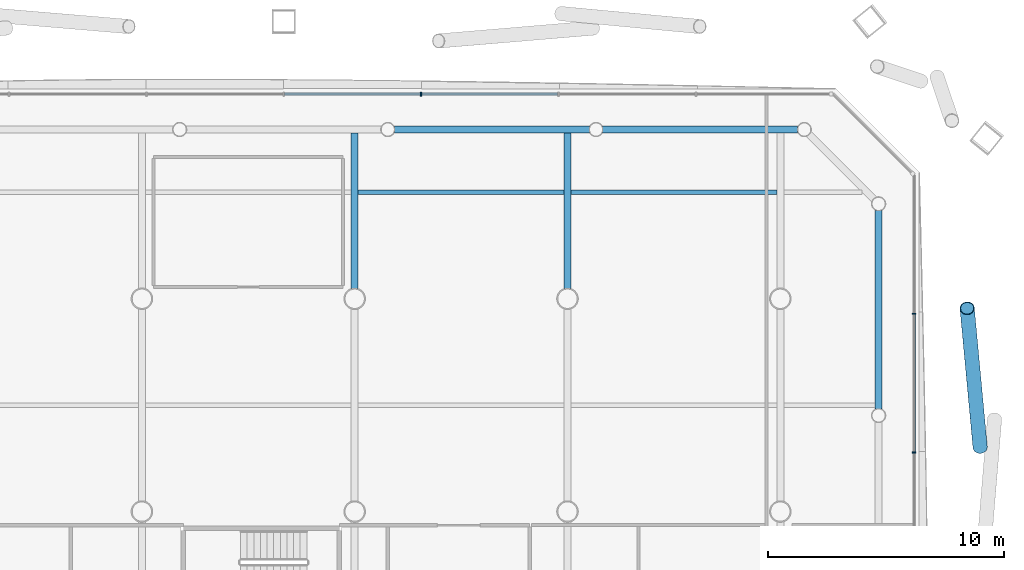
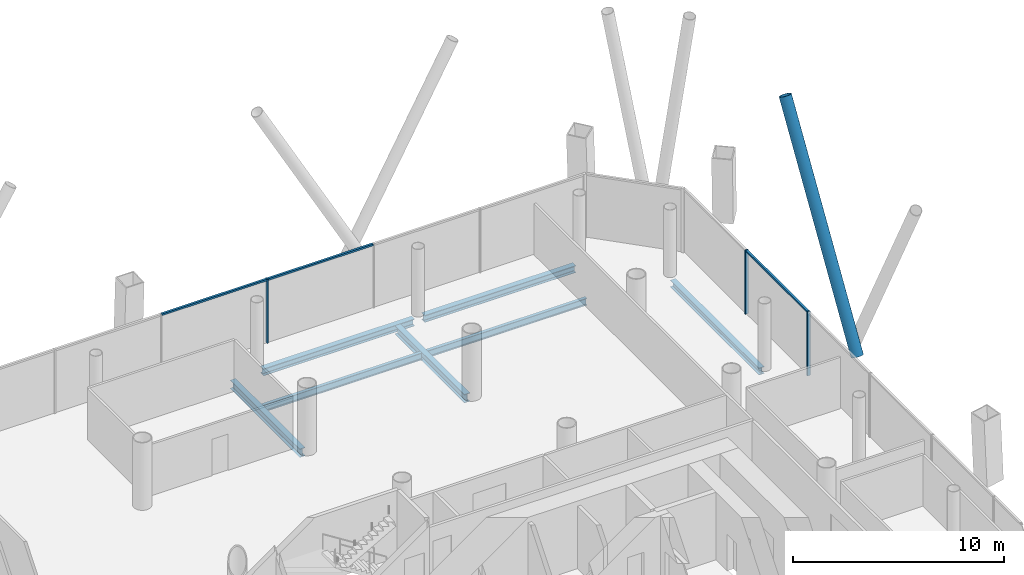
# One storey, part 14 of 25: 7 beams, 7 members, 2 elements without a shape of their own.
"""IFC4 building model written with IfcOpenShell, lengths in metres."""

from ifc_helpers import new_model, si_unit, direction, frame, origin, origin_2d, place, context, subcontext, project, spatial, rectangle, hollow_circle, i_section, extrude, material, material_profile, profile_set, type_object, element, aggregate, save


model = new_model("IFC4")

# Units and contexts
model_context = context("Model", 3, precision=1e-05, world=origin(), true_north=direction((0.0, 1.0)))
body_context = subcontext(model_context, "Body", "Model", "MODEL_VIEW")
ifc_project = project(units=[si_unit("LENGTHUNIT", "METRE"), si_unit("AREAUNIT", "SQUARE_METRE"), si_unit("VOLUMEUNIT", "CUBIC_METRE"), si_unit("PLANEANGLEUNIT", "RADIAN"), si_unit("MASSUNIT", "GRAM", prefix="KILO")], contexts=[model_context])

# Site, building, storey
site_placement = place(None, origin())
site = spatial("IfcSite", under=ifc_project, at=site_placement, CompositionType="ELEMENT")
building_placement = place(site_placement, origin())
building = spatial("IfcBuilding", under=site, at=building_placement, Name="Tskaro Facet Tower", CompositionType="ELEMENT")
storey_placement = place(building_placement, frame((0.0, 0.0, 34.199951171875)))
storey = spatial("IfcBuildingStorey", under=building, at=storey_placement, Name="L07", CompositionType="ELEMENT", Elevation=34.199951171875)

# Member
ifc_material_1 = material(Name="Steel S355J2H", Category="steel")
ifc_material_profile_1 = material_profile(ifc_material_1, hollow_circle(Radius=0.304931640625, WallThickness=0.030029296875, at=origin_2d()), Name="CHS 610x30")
ifc_profile_set_1 = profile_set([ifc_material_profile_1], Name="Steel S355J2H")
member_type_1 = type_object("IfcMemberType", Name="CHS 610x30 brace", PredefinedType="BRACE", material=ifc_profile_set_1)
member_1_placement = place(storey_placement, frame((26.449462890625, 11.7314453125, 0.0), z_axis=(-0.041803867485, 0.44778409282, 0.893163950728), x_axis=(-0.995670497029, -0.092953006112, 0.0)))
element("IfcMember", 1, at=member_1_placement, inside=storey, type_object=member_type_1, Name="CHS 610x30 XB05A/1", PredefinedType="BRACE", context=body_context, shape_type="SweptSolid", body=[
    extrude(hollow_circle(Radius=0.304931640625, WallThickness=0.030029296875, at=origin_2d()), origin(), (0.0, 0.0, 1.0), 13.099365234375),
])

# Curtain wall, members
ifc_material_2 = material(Name="Bronze anodised aluminium 6063-T6", Category="aluminium")
curtain_wall_type = type_object("IfcCurtainWallType", Name="Bronze office curtain wall (FW1)", PredefinedType="NOTDEFINED", material=ifc_material_2)
curtain_wall_1_placement = place(storey_placement, origin())
curtain_wall_1 = element("IfcCurtainWall", 2, at=curtain_wall_1_placement, inside=storey, type_object=curtain_wall_type, Name="FW1 east facet L07", PredefinedType="NOTDEFINED")
ifc_material_profile_2 = material_profile(ifc_material_2, rectangle(XDim=0.06005859375, YDim=0.159912109375, at=origin_2d()), Name="Mullion 60x160")
ifc_profile_set_2 = profile_set([ifc_material_profile_2], Name="Bronze anodised aluminium 6063-T6")
member_type_2 = type_object("IfcMemberType", Name="FW1 bronze mullion 60x160", PredefinedType="MULLION", material=ifc_profile_set_2)
member_2_placement = place(storey_placement, frame((23.654052734375, 11.498046875, 0.0), z_axis=(0.0, 0.0, 1.0), x_axis=(0.0, 1.0, 0.0)))
member_2 = element("IfcMember", 3, at=member_2_placement, type_object=member_type_2, Name="FW1 east mullion 6", PredefinedType="MULLION", context=body_context, shape_type="SweptSolid", body=[
    extrude(rectangle(XDim=0.06005859375, YDim=0.159912109375, at=origin_2d()), origin(), (0.0, 0.0, 1.0), 3.699951171875),
])
member_3_placement = place(storey_placement, frame((23.654052734375, 17.366455078125, 0.0), z_axis=(0.0, 0.0, 1.0), x_axis=(0.0, 1.0, 0.0)))
member_3 = element("IfcMember", 4, at=member_3_placement, type_object=member_type_2, Name="FW1 east mullion 7", PredefinedType="MULLION", context=body_context, shape_type="SweptSolid", body=[
    extrude(rectangle(XDim=0.06005859375, YDim=0.159912109375, at=origin_2d()), origin(), (0.0, 0.0, 1.0), 3.699951171875),
])

# Curtain wall, member
curtain_wall_2_placement = place(storey_placement, origin())
curtain_wall_2 = element("IfcCurtainWall", 5, at=curtain_wall_2_placement, inside=storey, type_object=curtain_wall_type, Name="FW1 north facet L07", PredefinedType="NOTDEFINED")
member_4_placement = place(storey_placement, frame((2.808837890625, 26.654052734375, 0.0), z_axis=(0.0, 0.0, 1.0), x_axis=(-1.0, 0.0, 0.0)))
member_4 = element("IfcMember", 6, at=member_4_placement, type_object=member_type_2, Name="FW1 north mullion 3", PredefinedType="MULLION", context=body_context, shape_type="SweptSolid", body=[
    extrude(rectangle(XDim=0.06005859375, YDim=0.159912109375, at=origin_2d()), origin(), (0.0, 0.0, 1.0), 3.699951171875),
])

# Member
ifc_material_profile_3 = material_profile(ifc_material_2, rectangle(XDim=0.1201171875, YDim=0.10009765625, at=origin_2d()), Name="Transom 120x100")
ifc_profile_set_3 = profile_set([ifc_material_profile_3], Name="Bronze anodised aluminium 6063-T6")
member_type_3 = type_object("IfcMemberType", Name="FW1 bronze transom 120x100", PredefinedType="USERDEFINED", material=ifc_profile_set_3)
member_5_placement = place(storey_placement, frame((23.654052734375, 11.528076171875, 3.650146484375), z_axis=(0.0, 1.0, 0.0), x_axis=(-1.0, 0.0, 0.0)))
member_5 = element("IfcMember", 7, at=member_5_placement, type_object=member_type_3, Name="FW1 east transom 7.1", ObjectType="TRANSOM", PredefinedType="USERDEFINED", context=body_context, shape_type="SweptSolid", body=[
    extrude(rectangle(XDim=0.1201171875, YDim=0.10009765625, at=origin_2d()), origin(), (0.0, 0.0, 1.0), 5.808349609375),
])

aggregate(curtain_wall_1, [member_2, member_3, member_5])

member_6_placement = place(storey_placement, frame((8.58740234375, 26.654052734375, 3.650146484375), z_axis=(-1.0, 0.0, 0.0), x_axis=(0.0, -1.0, 0.0)))
member_6 = element("IfcMember", 8, at=member_6_placement, type_object=member_type_3, Name="FW1 north transom 3.1", ObjectType="TRANSOM", PredefinedType="USERDEFINED", context=body_context, shape_type="SweptSolid", body=[
    extrude(rectangle(XDim=0.1201171875, YDim=0.10009765625, at=origin_2d()), origin(), (0.0, 0.0, 1.0), 5.74853515625),
])

member_7_placement = place(storey_placement, frame((2.77880859375, 26.654052734375, 3.650146484375), z_axis=(-1.0, 0.0, 0.0), x_axis=(0.0, -1.0, 0.0)))
member_7 = element("IfcMember", 9, at=member_7_placement, type_object=member_type_3, Name="FW1 north transom 4.1", ObjectType="TRANSOM", PredefinedType="USERDEFINED", context=body_context, shape_type="SweptSolid", body=[
    extrude(rectangle(XDim=0.1201171875, YDim=0.10009765625, at=origin_2d()), origin(), (0.0, 0.0, 1.0), 5.748779296875),
])

aggregate(curtain_wall_2, [member_4, member_6, member_7])

# Beams
ifc_material_3 = material(Name="Steel S355J2", Category="steel")
ifc_material_profile_4 = material_profile(ifc_material_3, i_section(OverallWidth=0.300048828125, OverallDepth=0.39990234375, WebThickness=0.013427734375, FlangeThickness=0.02392578125, FilletRadius=0.027099609375, at=origin_2d()), Name="HE 400 B")
ifc_profile_set_4 = profile_set([ifc_material_profile_4], Name="Steel S355J2")
beam_type_1 = type_object("IfcBeamType", Name="HE 400 B ring beam", PredefinedType="BEAM", material=ifc_profile_set_4)
beam_1_placement = place(storey_placement, frame((22.156982421875, 13.339111328125, -0.33984375), z_axis=(0.0, 1.0, 0.0), x_axis=(-1.0, 0.0, 0.0)))
element("IfcBeam", 10, at=beam_1_placement, inside=storey, type_object=beam_type_1, Name="HE 400 B EB12-1", PredefinedType="BEAM", context=body_context, shape_type="SweptSolid", body=[
    extrude(i_section(OverallWidth=0.300048828125, OverallDepth=0.39990234375, WebThickness=0.013427734375, FlangeThickness=0.02392578125, FilletRadius=0.027099609375, at=origin_2d()), origin(), (0.0, 0.0, 1.0), 8.39794921875),
])
beam_2_placement = place(storey_placement, frame((18.737060546875, 25.156982421875, -0.33984375), z_axis=(-1.0, 0.0, 0.0), x_axis=(0.0, -1.0, 0.0)))
element("IfcBeam", 11, at=beam_2_placement, inside=storey, type_object=beam_type_1, Name="HE 400 B EB14-1", PredefinedType="BEAM", context=body_context, shape_type="SweptSolid", body=[
    extrude(i_section(OverallWidth=0.300048828125, OverallDepth=0.39990234375, WebThickness=0.013427734375, FlangeThickness=0.02392578125, FilletRadius=0.027099609375, at=origin_2d()), origin(), (0.0, 0.0, 1.0), 8.255126953125),
])
beam_3_placement = place(storey_placement, frame((9.931884765625, 25.156982421875, -0.33984375), z_axis=(-1.0, 0.0, 0.0), x_axis=(0.0, -1.0, 0.0)))
element("IfcBeam", 12, at=beam_3_placement, inside=storey, type_object=beam_type_1, Name="HE 400 B EB15-1", PredefinedType="BEAM", context=body_context, shape_type="SweptSolid", body=[
    extrude(i_section(OverallWidth=0.300048828125, OverallDepth=0.39990234375, WebThickness=0.013427734375, FlangeThickness=0.02392578125, FilletRadius=0.027099609375, at=origin_2d()), origin(), (0.0, 0.0, 1.0), 8.2548828125),
])
ifc_material_profile_5 = material_profile(ifc_material_3, i_section(OverallWidth=0.300048828125, OverallDepth=0.489990234375, WebThickness=0.011962890625, FlangeThickness=0.02294921875, FilletRadius=0.027099609375, at=origin_2d()), Name="HE 500 A")
ifc_profile_set_5 = profile_set([ifc_material_profile_5], Name="Steel S355J2")
beam_type_2 = type_object("IfcBeamType", Name="HE 500 A girder", PredefinedType="BEAM", material=ifc_profile_set_5)
for number, where, z_axis, x_axis, name in (
    (13, (0.0, 18.42724609375, -0.385009765625), (0.0, 1.0, 0.0), (-1.0, 0.0, 0.0), "HE 500 A GB4-5-1"),
    (14, (9.0, 18.42724609375, -0.385009765625), (0.0, 1.0, 0.0), (-1.0, 0.0, 0.0), "HE 500 A GB5-5-1"),
):
    element("IfcBeam", number, at=place(storey_placement, frame(where, z_axis=z_axis, x_axis=x_axis)), inside=storey, type_object=beam_type_2, Name=name, PredefinedType="BEAM", context=body_context, shape_type="SweptSolid", body=[
        extrude(i_section(OverallWidth=0.300048828125, OverallDepth=0.489990234375, WebThickness=0.011962890625, FlangeThickness=0.02294921875, FilletRadius=0.027099609375, at=origin_2d()), origin(), (0.0, 0.0, 1.0), 6.579833984375),
    ])
ifc_material_profile_6 = material_profile(ifc_material_3, i_section(OverallWidth=0.179931640625, OverallDepth=0.39990234375, WebThickness=0.008544921875, FlangeThickness=0.013427734375, FilletRadius=0.02099609375, at=origin_2d()), Name="IPE 400")
ifc_profile_set_6 = profile_set([ifc_material_profile_6], Name="Steel S355J2")
beam_type_3 = type_object("IfcBeamType", Name="IPE 400 secondary beam", PredefinedType="BEAM", material=ifc_profile_set_6)
for number, where, z_axis, x_axis, name in (
    (15, (0.14990234375, 22.5, -0.33984375), (1.0, 0.0, 0.0), (0.0, 1.0, 0.0), "IPE 400 SB6a-4-1"),
    (16, (9.14990234375, 22.5, -0.33984375), (1.0, 0.0, 0.0), (0.0, 1.0, 0.0), "IPE 400 SB6a-5-1"),
):
    element("IfcBeam", number, at=place(storey_placement, frame(where, z_axis=z_axis, x_axis=x_axis)), inside=storey, type_object=beam_type_3, Name=name, PredefinedType="BEAM", context=body_context, shape_type="SweptSolid", body=[
        extrude(i_section(OverallWidth=0.179931640625, OverallDepth=0.39990234375, WebThickness=0.008544921875, FlangeThickness=0.013427734375, FilletRadius=0.02099609375, at=origin_2d()), origin(), (0.0, 0.0, 1.0), 8.7001953125),
    ])

save(model, "model.ifc")
